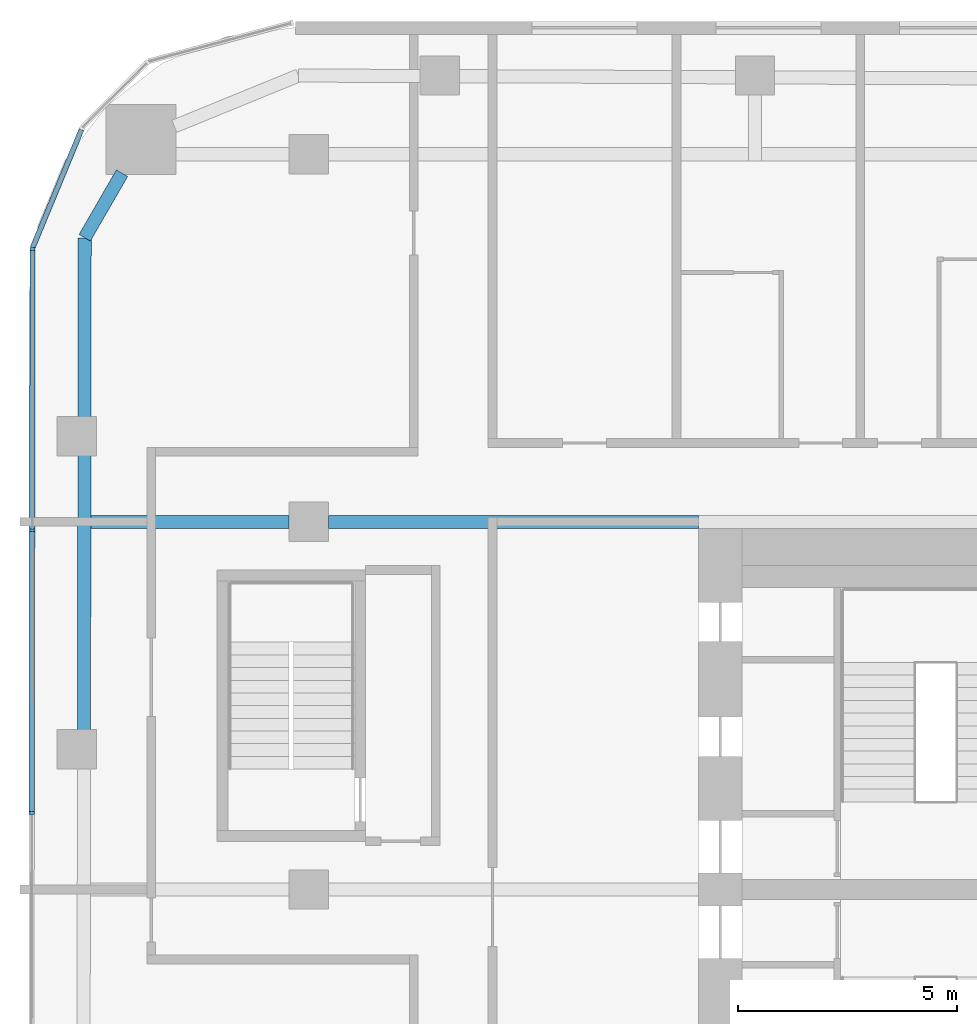
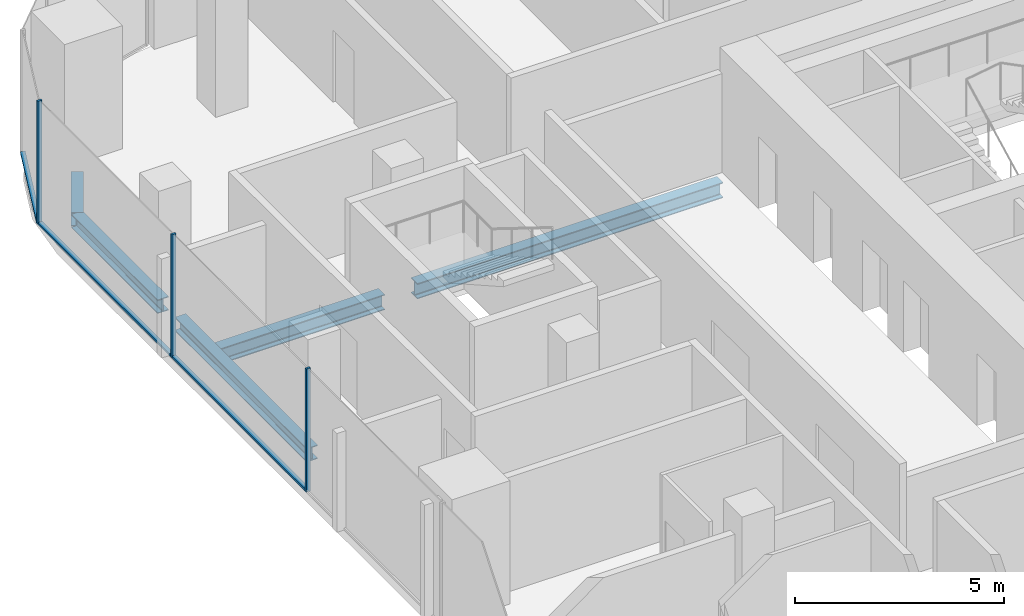
# One storey, part 8 of 23: 6 members, 5 beams, 2 elements without a shape of their own.
"""IFC4 building model written with IfcOpenShell, lengths in metres."""

from ifc_helpers import new_model, si_unit, direction, frame, origin, origin_2d, place, context, subcontext, project, spatial, rectangle, i_section, extrude, material, layer, layer_set, material_profile, profile_set, type_object, element, aggregate, save


model = new_model("IFC4")

# Units and contexts
model_context = context("Model", 3, precision=1e-05, world=origin(), true_north=direction((0.0, 1.0)))
body_context = subcontext(model_context, "Body", "Model", "MODEL_VIEW")
ifc_project = project(units=[si_unit("LENGTHUNIT", "METRE"), si_unit("AREAUNIT", "SQUARE_METRE"), si_unit("VOLUMEUNIT", "CUBIC_METRE"), si_unit("PLANEANGLEUNIT", "RADIAN"), si_unit("MASSUNIT", "GRAM", prefix="KILO")], contexts=[model_context])

# Site, building, storey
site_placement = place(None, origin())
site = spatial("IfcSite", under=ifc_project, at=site_placement, CompositionType="ELEMENT")
building_placement = place(site_placement, origin())
building = spatial("IfcBuilding", under=site, at=building_placement, Name="Marenta Gate Hotel Tower", CompositionType="ELEMENT")
storey_placement = place(building_placement, frame((0.0, 0.0, 104.89990234375)))
storey = spatial("IfcBuildingStorey", under=building, at=storey_placement, Name="L22", CompositionType="ELEMENT", Elevation=104.89990234375)

# Beams
ifc_material_1 = material(Name="Steel S355", Category="steel")
ifc_material_profile_1 = material_profile(ifc_material_1, i_section(OverallWidth=0.300048828125, OverallDepth=0.39990234375, WebThickness=0.013427734375, FlangeThickness=0.02392578125, FilletRadius=0.027099609375, at=origin_2d()), Name="HEB 400")
ifc_profile_set_1 = profile_set([ifc_material_profile_1], Name="Steel S355")
beam_type_1 = type_object("IfcBeamType", Name="Edge beam HEB 400", PredefinedType="SPANDREL", material=ifc_profile_set_1)
beam_1_placement = place(storey_placement, frame((-26.136962890625, 12.01318359375, -0.4599609375), z_axis=(0.001387763206, 0.999999037056, 0.0), x_axis=(-0.999999037056, 0.001387763206, 0.0)))
element("IfcBeam", 1, at=beam_1_placement, inside=storey, type_object=beam_type_1, Name="L22-EB-9", PredefinedType="SPANDREL", context=body_context, shape_type="SweptSolid", body=[
    extrude(i_section(OverallWidth=0.300048828125, OverallDepth=0.39990234375, WebThickness=0.013427734375, FlangeThickness=0.02392578125, FilletRadius=0.027099609375, at=origin_2d()), origin(), (0.0, 0.0, 1.0), 6.333251953125),
])
beam_2_placement = place(storey_placement, frame((-26.126953125, 19.16650390625, -0.4599609375), z_axis=(0.001361187116, 0.999999073584, 0.0), x_axis=(-0.999999073584, 0.001361187116, 0.0)))
element("IfcBeam", 2, at=beam_2_placement, inside=storey, type_object=beam_type_1, Name="L22-EB-10", PredefinedType="SPANDREL", context=body_context, shape_type="SweptSolid", body=[
    extrude(i_section(OverallWidth=0.300048828125, OverallDepth=0.39990234375, WebThickness=0.013427734375, FlangeThickness=0.02392578125, FilletRadius=0.027099609375, at=origin_2d()), origin(), (0.0, 0.0, 1.0), 4.125244140625),
])
beam_3_placement = place(storey_placement, frame((-26.121337890625, 23.291748046875, -0.4599609375), z_axis=(0.500015459501, 0.866016478054, 0.0), x_axis=(-0.866016478054, 0.500015459501, 0.0)))
element("IfcBeam", 3, at=beam_3_placement, inside=storey, type_object=beam_type_1, Name="L22-EB-11", PredefinedType="SPANDREL", context=body_context, shape_type="SweptSolid", body=[
    extrude(i_section(OverallWidth=0.300048828125, OverallDepth=0.39990234375, WebThickness=0.013427734375, FlangeThickness=0.02392578125, FilletRadius=0.027099609375, at=origin_2d()), origin(), (0.0, 0.0, 1.0), 1.70703125),
])
ifc_material_2 = material(Name="Steel S355", Category="steel")
ifc_material_profile_2 = material_profile(ifc_material_2, i_section(OverallWidth=0.300048828125, OverallDepth=0.449951171875, WebThickness=0.013916015625, FlangeThickness=0.02587890625, FilletRadius=0.027099609375, at=origin_2d()), Name="HEB 450")
ifc_profile_set_2 = profile_set([ifc_material_profile_2], Name="Steel S355")
beam_type_2 = type_object("IfcBeamType", Name="Girder HEB 450", PredefinedType="BEAM", material=ifc_profile_set_2)
beam_4_placement = place(storey_placement, frame((-25.980224609375, 16.800048828125, -0.48486328125), z_axis=(1.0, 0.0, 0.0), x_axis=(0.0, 1.0, 0.0)))
element("IfcBeam", 4, at=beam_4_placement, inside=storey, type_object=beam_type_2, Name="L22-GD-24", PredefinedType="BEAM", context=body_context, shape_type="SweptSolid", body=[
    extrude(i_section(OverallWidth=0.300048828125, OverallDepth=0.449951171875, WebThickness=0.013916015625, FlangeThickness=0.02587890625, FilletRadius=0.027099609375, at=origin_2d()), origin(), (0.0, 0.0, 1.0), 4.5302734375),
])
beam_5_placement = place(storey_placement, frame((-20.550048828125, 16.800048828125, -0.48486328125), z_axis=(1.0, 0.0, 0.0), x_axis=(0.0, 1.0, 0.0)))
element("IfcBeam", 5, at=beam_5_placement, inside=storey, type_object=beam_type_2, Name="L22-GD-25", PredefinedType="BEAM", context=body_context, shape_type="SweptSolid", body=[
    extrude(i_section(OverallWidth=0.300048828125, OverallDepth=0.449951171875, WebThickness=0.013916015625, FlangeThickness=0.02587890625, FilletRadius=0.027099609375, at=origin_2d()), origin(), (0.0, 0.0, 1.0), 8.449951171875),
])

# Curtain wall, members
ifc_material_3 = material(Name="Tinted insulated glass in bronze anodised frame", Category="glass")
ifc_layer = layer(ifc_material_3, 0.1201171875)
ifc_layer_set = layer_set([ifc_layer], Name="Tinted insulated glass in bronze anodised frame")
curtain_wall_type = type_object("IfcCurtainWallType", Name="Tower unitised curtain wall CW1", PredefinedType="NOTDEFINED", material=ifc_layer_set)
curtain_wall_1_placement = place(storey_placement, origin())
curtain_wall_1 = element("IfcCurtainWall", 6, at=curtain_wall_1_placement, inside=storey, type_object=curtain_wall_type, Name="CW1 run G03", PredefinedType="NOTDEFINED")
ifc_material_4 = material(Name="Bronze anodised aluminium", Category="aluminium")
ifc_material_profile_3 = material_profile(ifc_material_4, rectangle(XDim=0.1201171875, YDim=0.06005859375, at=origin_2d()), Name="Mullion CW1 60x120 bronze anodised aluminium")
ifc_profile_set_3 = profile_set([ifc_material_profile_3], Name="Bronze anodised aluminium")
member_type_1 = type_object("IfcMemberType", Name="Mullion CW1 60x120 bronze anodised aluminium", PredefinedType="MULLION", material=ifc_profile_set_3)
member_1_placement = place(storey_placement, frame((-27.312255859375, 23.0361328125, 0.0), z_axis=(0.0, 0.0, 1.0), x_axis=(0.99999877375, -0.001566045546, 0.0)))
member_1 = element("IfcMember", 7, at=member_1_placement, type_object=member_type_1, Name="CW1 mullion 1", PredefinedType="MULLION", context=body_context, shape_type="SweptSolid", body=[
    extrude(rectangle(XDim=0.1201171875, YDim=0.06005859375, at=origin_2d()), origin(), (0.0, 0.0, 1.0), 3.60009765625),
])
member_2_placement = place(storey_placement, frame((-27.322509765625, 16.606201171875, 0.0), z_axis=(0.0, 0.0, 1.0), x_axis=(0.99999877375, -0.001566045546, 0.0)))
member_2 = element("IfcMember", 8, at=member_2_placement, type_object=member_type_1, Name="CW1 mullion 2", PredefinedType="MULLION", context=body_context, shape_type="SweptSolid", body=[
    extrude(rectangle(XDim=0.1201171875, YDim=0.06005859375, at=origin_2d()), origin(), (0.0, 0.0, 1.0), 3.60009765625),
])
member_3_placement = place(storey_placement, frame((-27.33251953125, 10.146240234375, 0.0), z_axis=(0.0, 0.0, 1.0), x_axis=(0.99999877375, -0.001566045546, 0.0)))
member_3 = element("IfcMember", 9, at=member_3_placement, type_object=member_type_1, Name="CW1 mullion 3", PredefinedType="MULLION", context=body_context, shape_type="SweptSolid", body=[
    extrude(rectangle(XDim=0.1201171875, YDim=0.06005859375, at=origin_2d()), origin(), (0.0, 0.0, 1.0), 3.60009765625),
])

# Curtain wall, member
curtain_wall_2_placement = place(storey_placement, origin())
curtain_wall_2 = element("IfcCurtainWall", 10, at=curtain_wall_2_placement, inside=storey, type_object=curtain_wall_type, Name="CW1 run G02", PredefinedType="NOTDEFINED")
ifc_material_5 = material(Name="Bronze anodised aluminium", Category="aluminium")
ifc_material_profile_4 = material_profile(ifc_material_5, rectangle(XDim=0.1201171875, YDim=0.06005859375, at=origin_2d()), Name="Transom CW1 60x120 bronze anodised aluminium")
ifc_profile_set_4 = profile_set([ifc_material_profile_4], Name="Bronze anodised aluminium")
member_type_2 = type_object("IfcMemberType", Name="Transom CW1 60x120 bronze anodised aluminium", PredefinedType="USERDEFINED", material=ifc_profile_set_4)
member_4_placement = place(storey_placement, frame((-26.1953125, 25.76318359375, 0.030029296875), z_axis=(-0.382625093284, -0.923903695192, 0.0), x_axis=(0.923903695192, -0.382625093284, 0.0)))
member_4 = element("IfcMember", 11, at=member_4_placement, type_object=member_type_2, Name="CW1 transom 1.1", ObjectType="TRANSOM", PredefinedType="USERDEFINED", context=body_context, shape_type="SweptSolid", body=[
    extrude(rectangle(XDim=0.1201171875, YDim=0.06005859375, at=origin_2d()), origin(), (0.0, 0.0, 1.0), 2.919189453125),
])
aggregate(curtain_wall_2, [member_4])

# Member
member_5_placement = place(storey_placement, frame((-27.3125, 23.006103515625, 0.030029296875), z_axis=(-0.001533093902, -0.999998824811, 0.0), x_axis=(0.999998824811, -0.001533093902, 0.0)))
member_5 = element("IfcMember", 12, at=member_5_placement, type_object=member_type_2, Name="CW1 transom 1.1", ObjectType="TRANSOM", PredefinedType="USERDEFINED", context=body_context, shape_type="SweptSolid", body=[
    extrude(rectangle(XDim=0.1201171875, YDim=0.06005859375, at=origin_2d()), origin(), (0.0, 0.0, 1.0), 6.369873046875),
])

member_6_placement = place(storey_placement, frame((-27.322509765625, 16.576171875, 0.030029296875), z_axis=(-0.001564047831, -0.999998776876, 0.0), x_axis=(0.999998776876, -0.001564047831, 0.0)))
member_6 = element("IfcMember", 13, at=member_6_placement, type_object=member_type_2, Name="CW1 transom 2.1", ObjectType="TRANSOM", PredefinedType="USERDEFINED", context=body_context, shape_type="SweptSolid", body=[
    extrude(rectangle(XDim=0.1201171875, YDim=0.06005859375, at=origin_2d()), origin(), (0.0, 0.0, 1.0), 6.39990234375),
])

aggregate(curtain_wall_1, [member_1, member_2, member_3, member_5, member_6])

save(model, "model.ifc")
